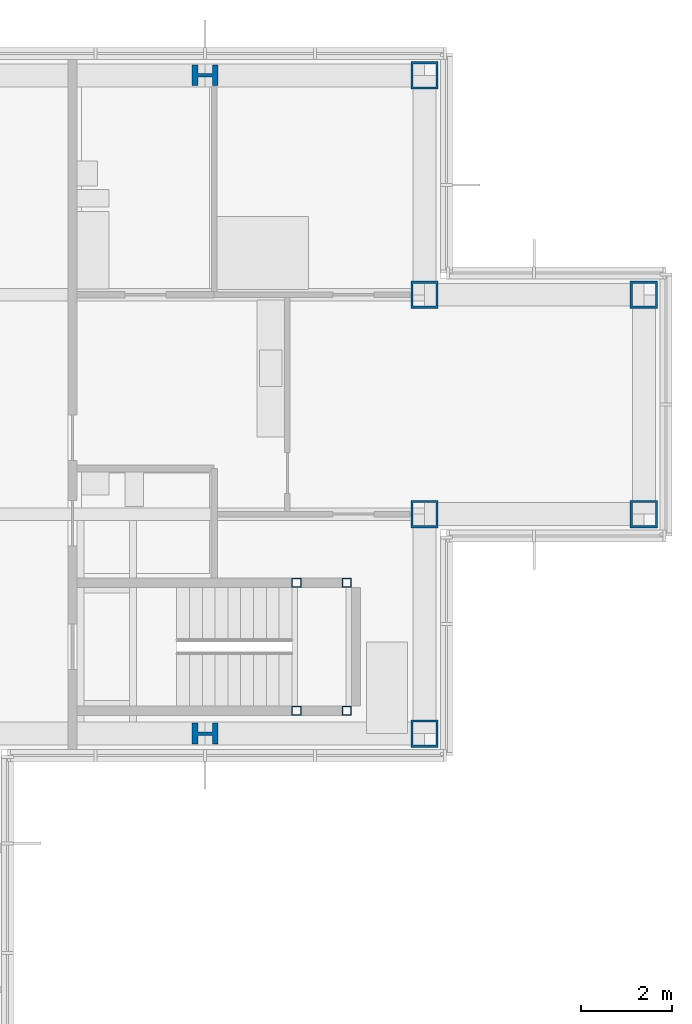
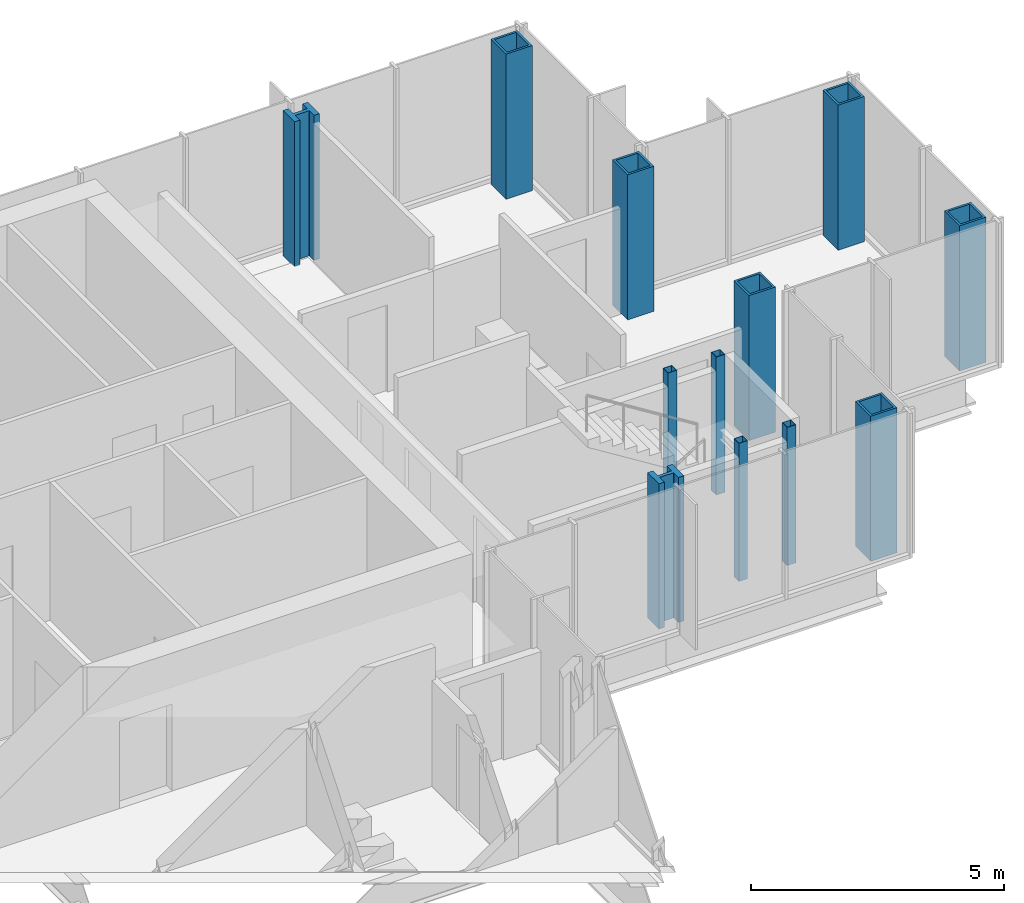
# One storey, part 4 of 15: 12 columns.
"""IFC4 building model written with IfcOpenShell, lengths in metres."""

import ifcopenshell
import ifcopenshell.guid

model = None  # the IFC model being written
_history = None  # IfcOwnerHistory: only IFC2X3 demands one
_inside = {}  # id of a spatial element -> (the spatial element, [elements in it])
_under = {}  # id of a project, library or spatial element -> (it, [spatial elements below it])
_declared = {}  # id of a project -> (the project, [libraries it declares])
_typed = {}  # id of a type object -> (the type object, [elements of that type])
_made_of = {}  # id of a material, layer set ... -> (it, [elements and type objects made of it])


def new_model(schema):
    """Start an empty IFC model of exactly this schema.

    Asked for "IFC4X3", IfcOpenShell would pick the latest addendum, in which some entities
    have other attributes; the version numbers below select the first issue.
    IFC2X3 requires an IfcOwnerHistory on every rooted entity: one is made here for all.
    """
    global model, _history
    if schema == "IFC4X3":
        model = ifcopenshell.file(schema_version=(4, 3, 0, 0))
    else:
        model = ifcopenshell.file(schema=schema)
    _inside.clear()
    _under.clear()
    _declared.clear()
    _typed.clear()
    _made_of.clear()
    _history = None
    if model.schema == "IFC2X3":
        org = make("IfcOrganization", Name="unknown")
        user = make(
            "IfcPersonAndOrganization",
            ThePerson=make("IfcPerson", FamilyName="unknown"),
            TheOrganization=org,
        )
        app = make(
            "IfcApplication",
            ApplicationDeveloper=org,
            Version="unknown",
            ApplicationFullName="unknown",
            ApplicationIdentifier="unknown",
        )
        _history = make(
            "IfcOwnerHistory",
            OwningUser=user,
            OwningApplication=app,
            ChangeAction="ADDED",
            CreationDate=0,
        )
    return model


def make(cls, **values):
    """One entity of the class cls with the attributes given. An attribute that is None is left unset."""
    return model.create_entity(
        cls, **{name: value for name, value in values.items() if value is not None}
    )


def rooted(cls, **values):
    """An entity with a GlobalId (a new one), such as an element, a storey or a relation."""
    return make(cls, GlobalId=ifcopenshell.guid.new(), OwnerHistory=_history, **values)


def si_unit(unit_type, name, prefix=None):
    """IfcSIUnit, for example si_unit("LENGTHUNIT", "METRE", prefix="MILLI")."""
    return make("IfcSIUnit", UnitType=unit_type, Prefix=prefix, Name=name)


def assignment(units):
    """IfcUnitAssignment: the units of a project."""
    return None if units is None else make("IfcUnitAssignment", Units=units)


def point(xyz):
    """IfcCartesianPoint."""
    return None if xyz is None else make("IfcCartesianPoint", Coordinates=xyz)


def direction(xyz):
    """IfcDirection."""
    return None if xyz is None else make("IfcDirection", DirectionRatios=xyz)


def frame(location, z_axis=None, x_axis=None):
    """IfcAxis2Placement3D, a coordinate frame: its origin and axes. An axis left out is left unset."""
    return make(
        "IfcAxis2Placement3D",
        Location=point(location),
        Axis=direction(z_axis),
        RefDirection=direction(x_axis),
    )


def frame_2d(location, x_axis=None):
    """IfcAxis2Placement2D, a coordinate frame in the plane: its origin and x axis."""
    return make(
        "IfcAxis2Placement2D", Location=point(location), RefDirection=direction(x_axis)
    )


def origin():
    """The frame at (0, 0, 0) with its axes left unset."""
    return frame((0.0, 0.0, 0.0))


def origin_2d():
    """The frame at (0, 0) in the plane with its x axis left unset."""
    return frame_2d((0.0, 0.0))


def place(relative_to, where):
    """IfcLocalPlacement: puts the frame where relative to a parent placement (None: the world)."""
    return make(
        "IfcLocalPlacement", PlacementRelTo=relative_to, RelativePlacement=where
    )


def context(
    kind, dimensions, precision=None, world=None, true_north=None, identifier=None
):
    """IfcGeometricRepresentationContext, for example the 3D "Model" context."""
    return make(
        "IfcGeometricRepresentationContext",
        ContextIdentifier=identifier,
        ContextType=kind,
        CoordinateSpaceDimension=dimensions,
        Precision=precision,
        WorldCoordinateSystem=world,
        TrueNorth=true_north,
    )


def subcontext(parent, identifier, kind, view, scale=None):
    """IfcGeometricRepresentationSubContext, for example "Body" below "Model"."""
    return make(
        "IfcGeometricRepresentationSubContext",
        ContextIdentifier=identifier,
        ContextType=kind,
        ParentContext=parent,
        TargetScale=scale,
        TargetView=view,
    )


def project(units=None, contexts=None):
    """IfcProject with its units and contexts."""
    return rooted(
        "IfcProject",
        Name="project",
        RepresentationContexts=contexts,
        UnitsInContext=assignment(units),
    )


def spatial(cls, under=None, at=None, **own):
    """A site, building, storey or space (cls), placed at a placement, below another one or the project."""
    s = rooted(cls, ObjectPlacement=at, **own)
    if under is not None:
        _under.setdefault(under.id(), (under, []))[1].append(s)
    return s


def profile(cls, at=None, kind="AREA", **sizes):
    """A parametric profile (cls). Its sizes go by their IFC names, for example OverallWidth=200.0."""
    return make(cls, ProfileType=kind, Position=at, **sizes)


def hollow_rectangle(**sizes):
    """IfcRectangleHollowProfileDef."""
    return profile("IfcRectangleHollowProfileDef", **sizes)


def i_section(**sizes):
    """IfcIShapeProfileDef."""
    return profile("IfcIShapeProfileDef", **sizes)


def extrude(swept, where, along, depth):
    """IfcExtrudedAreaSolid: the profile swept, set in the frame where, extruded along a direction by depth."""
    return make(
        "IfcExtrudedAreaSolid",
        SweptArea=swept,
        Position=where,
        ExtrudedDirection=direction(along),
        Depth=depth,
    )


def shape(context_of_items, identifier, shape_type, items):
    """IfcShapeRepresentation: the items that make up one representation, for example the "Body"."""
    return make(
        "IfcShapeRepresentation",
        ContextOfItems=context_of_items,
        RepresentationIdentifier=identifier,
        RepresentationType=shape_type,
        Items=items,
    )


def material(Name=None, Category=None):
    """IfcMaterial."""
    return make("IfcMaterial", Name=Name, Category=Category)


def material_profile(
    of_material, cross_section, Name=None, Category=None, Priority=None
):
    """IfcMaterialProfile: a cross section and its material."""
    return make(
        "IfcMaterialProfile",
        Name=Name,
        Material=of_material,
        Profile=cross_section,
        Priority=Priority,
        Category=Category,
    )


def profile_set(profiles, Name=None, composite=None):
    """IfcMaterialProfileSet."""
    return make(
        "IfcMaterialProfileSet",
        Name=Name,
        MaterialProfiles=profiles,
        CompositeProfile=composite,
    )


def made_of(thing, what):
    """Note that an element or type object is made of a material, layer set ...; save() writes the relation."""
    if what is not None:
        _made_of.setdefault(what.id(), (what, []))[1].append(thing)
    return thing


def type_object(cls, material=None, **own):
    """A type object (cls), such as IfcWallType, which elements share."""
    return made_of(rooted(cls, **own), material)


def element(
    cls,
    number,
    at=None,
    inside=None,
    cuts=None,
    type_object=None,
    material=None,
    context=None,
    identifier="Body",
    shape_type=None,
    held_by="IfcProductDefinitionShape",
    body=None,
    shapes=None,
    **own,
):
    """One element of the class cls, such as IfcWall. Its Tag is "e" and its number.

    at: its placement. inside: the storey or other place that contains it. cuts: it is an
    opening in that element (IfcRelVoidsElement). A single representation is given by context,
    identifier, shape_type and body (its items); several are given by shapes. held_by: the class
    of the entity that holds the representations. save() writes the other relations.
    """
    e = rooted(cls, Tag="e%d" % number, ObjectPlacement=at, **own)
    if body is not None:
        shapes = [shape(context, identifier, shape_type, body)]
    if shapes is not None:
        e.Representation = make(held_by, Representations=shapes)
    if inside is not None:
        _inside.setdefault(inside.id(), (inside, []))[1].append(e)
    if cuts is not None:
        rooted(
            "IfcRelVoidsElement", RelatingBuildingElement=cuts, RelatedOpeningElement=e
        )
    if type_object is not None:
        _typed.setdefault(type_object.id(), (type_object, []))[1].append(e)
    return made_of(e, material)


def aggregate(whole, parts):
    """IfcRelAggregates: a whole, such as a stair, and the parts it consists of."""
    return rooted("IfcRelAggregates", RelatingObject=whole, RelatedObjects=parts)


def save(model, path):
    """Write the relations noted so far, then the file.

    IfcRelAggregates (storeys below a building ...), IfcRelContainedInSpatialStructure (elements
    in a storey), IfcRelDefinesByType, IfcRelAssociatesMaterial and IfcRelDeclares: one each for
    every whole, place, type object, material and project.
    """
    for whole, parts in _under.values():
        aggregate(whole, parts)
    for where, things in _inside.values():
        rooted(
            "IfcRelContainedInSpatialStructure",
            RelatedElements=things,
            RelatingStructure=where,
        )
    for kind, things in _typed.values():
        rooted("IfcRelDefinesByType", RelatedObjects=things, RelatingType=kind)
    for what, things in _made_of.values():
        rooted("IfcRelAssociatesMaterial", RelatedObjects=things, RelatingMaterial=what)
    for by, libraries in _declared.values():
        rooted("IfcRelDeclares", RelatingContext=by, RelatedDefinitions=libraries)
    model.write(path)


model = new_model("IFC4")

# Units and contexts
model_context = context("Model", 3, precision=1e-05, world=origin(), true_north=direction((0.0, 1.0)))
body_context = subcontext(model_context, "Body", "Model", "MODEL_VIEW")
ifc_project = project(units=[si_unit("LENGTHUNIT", "METRE"), si_unit("AREAUNIT", "SQUARE_METRE"), si_unit("VOLUMEUNIT", "CUBIC_METRE"), si_unit("PLANEANGLEUNIT", "RADIAN"), si_unit("MASSUNIT", "GRAM", prefix="KILO")], contexts=[model_context])

# Site, building, storey
site_placement = place(None, origin())
site = spatial("IfcSite", under=ifc_project, at=site_placement, CompositionType="ELEMENT")
building_placement = place(site_placement, origin())
building = spatial("IfcBuilding", under=site, at=building_placement, Name="Kvirike Care Tower", CompositionType="ELEMENT")
storey_placement = place(building_placement, frame((0.0, 0.0, 212.0)))
storey = spatial("IfcBuildingStorey", under=building, at=storey_placement, Name="L58", CompositionType="ELEMENT", Elevation=212.0)

# Columns
ifc_material_1 = material(Name="Steel S460", Category="steel")
ifc_material_profile_1 = material_profile(ifc_material_1, hollow_rectangle(XDim=0.60009765625, YDim=0.60009765625, WallThickness=0.050048828125, at=origin_2d()), Name="BX 600x600x50")
ifc_profile_set_1 = profile_set([ifc_material_profile_1], Name="Steel S460")
column_type_1 = type_object("IfcColumnType", Name="COLUMN BX 600x600x50", PredefinedType="COLUMN", material=ifc_profile_set_1)
for number, where, z_axis, x_axis, name in (
    (1, (38.39990234375, 28.800048828125, 0.0), (0.0, 0.0, 1.0), (0.0, 1.0, 0.0), "Column G11 L58"),
    (2, (38.39990234375, 33.60009765625, 0.0), (0.0, 0.0, 1.0), (0.0, 1.0, 0.0), "Column H11 L58"),
    (3, (38.39990234375, 38.39990234375, 0.0), (0.0, 0.0, 1.0), (0.0, 1.0, 0.0), "Column J11 L58"),
    (4, (38.39990234375, 43.199951171875, 0.0), (0.0, 0.0, 1.0), (0.0, 1.0, 0.0), "Column K11 L58"),
    (5, (43.199951171875, 33.60009765625, 0.0), (0.0, 0.0, 1.0), (0.0, 1.0, 0.0), "Column H12 L58"),
    (6, (43.199951171875, 38.39990234375, 0.0), (0.0, 0.0, 1.0), (0.0, 1.0, 0.0), "Column J12 L58"),
):
    element("IfcColumn", number, at=place(storey_placement, frame(where, z_axis=z_axis, x_axis=x_axis)), inside=storey, type_object=column_type_1, Name=name, PredefinedType="COLUMN", context=body_context, shape_type="SweptSolid", body=[
        extrude(hollow_rectangle(XDim=0.60009765625, YDim=0.60009765625, WallThickness=0.050048828125, at=origin_2d()), origin(), (0.0, 0.0, 1.0), 3.5),
    ])
ifc_material_2 = material(Name="Steel S460", Category="steel")
ifc_material_profile_2 = material_profile(ifc_material_2, i_section(OverallWidth=0.4541015625, OverallDepth=0.569091796875, WebThickness=0.077880859375, FlangeThickness=0.125, FilletRadius=0.014892578125, at=origin_2d()), Name="HD 400x1086")
ifc_profile_set_2 = profile_set([ifc_material_profile_2], Name="Steel S460")
column_type_2 = type_object("IfcColumnType", Name="COLUMN HD 400x1086", PredefinedType="COLUMN", material=ifc_profile_set_2)
for number, where, z_axis, x_axis, name in (
    (7, (33.60009765625, 28.800048828125, 0.0), (0.0, 0.0, 1.0), (0.0, 1.0, 0.0), "Column G10 L58"),
    (8, (33.60009765625, 43.199951171875, 0.0), (0.0, 0.0, 1.0), (0.0, 1.0, 0.0), "Column K10 L58"),
):
    element("IfcColumn", number, at=place(storey_placement, frame(where, z_axis=z_axis, x_axis=x_axis)), inside=storey, type_object=column_type_2, Name=name, PredefinedType="COLUMN", context=body_context, shape_type="SweptSolid", body=[
        extrude(i_section(OverallWidth=0.4541015625, OverallDepth=0.569091796875, WebThickness=0.077880859375, FlangeThickness=0.125, FilletRadius=0.014892578125, at=origin_2d()), origin(), (0.0, 0.0, 1.0), 3.5),
    ])
ifc_material_3 = material(Name="Steel S460", Category="steel")
ifc_material_profile_3 = material_profile(ifc_material_3, hollow_rectangle(XDim=0.199951171875, YDim=0.199951171875, WallThickness=0.008056640625, at=origin_2d()), Name="SHS 200x200x8")
ifc_profile_set_3 = profile_set([ifc_material_profile_3], Name="Steel S460")
column_type_3 = type_object("IfcColumnType", Name="STAIR POST SHS 200x200x8", PredefinedType="COLUMN", material=ifc_profile_set_3)
for number, where, z_axis, x_axis, name in (
    (9, (36.699951171875, 29.300048828125, 0.0), (0.0, 0.0, 1.0), (1.0, 0.0, 0.0), "Stair 2 post 1 L58"),
    (10, (36.699951171875, 32.10009765625, 0.0), (0.0, 0.0, 1.0), (1.0, 0.0, 0.0), "Stair 2 post 2 L58"),
    (11, (35.60009765625, 29.300048828125, 0.0), (0.0, 0.0, 1.0), (1.0, 0.0, 0.0), "Stair 2 post 3 L58"),
    (12, (35.60009765625, 32.10009765625, 0.0), (0.0, 0.0, 1.0), (1.0, 0.0, 0.0), "Stair 2 post 4 L58"),
):
    element("IfcColumn", number, at=place(storey_placement, frame(where, z_axis=z_axis, x_axis=x_axis)), inside=storey, type_object=column_type_3, Name=name, PredefinedType="COLUMN", context=body_context, shape_type="SweptSolid", body=[
        extrude(hollow_rectangle(XDim=0.199951171875, YDim=0.199951171875, WallThickness=0.008056640625, at=origin_2d()), origin(), (0.0, 0.0, 1.0), 3.330078125),
    ])

save(model, "model.ifc")
